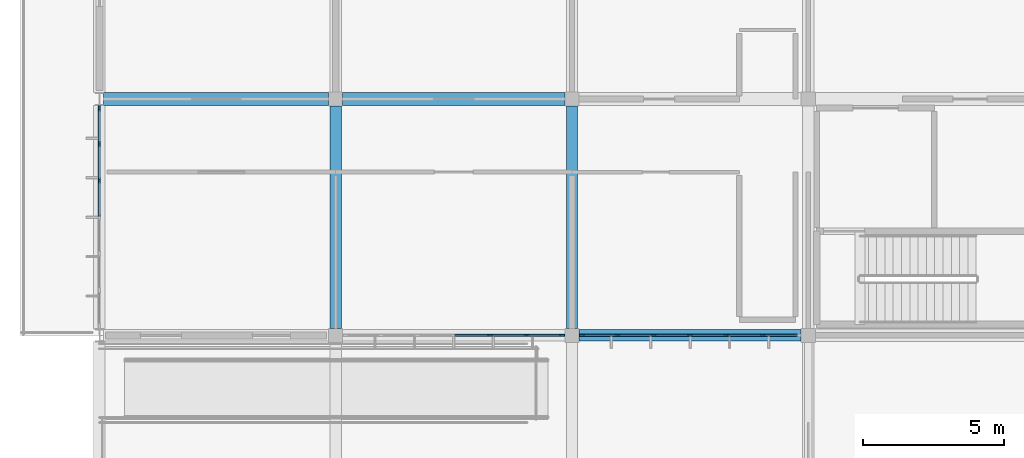
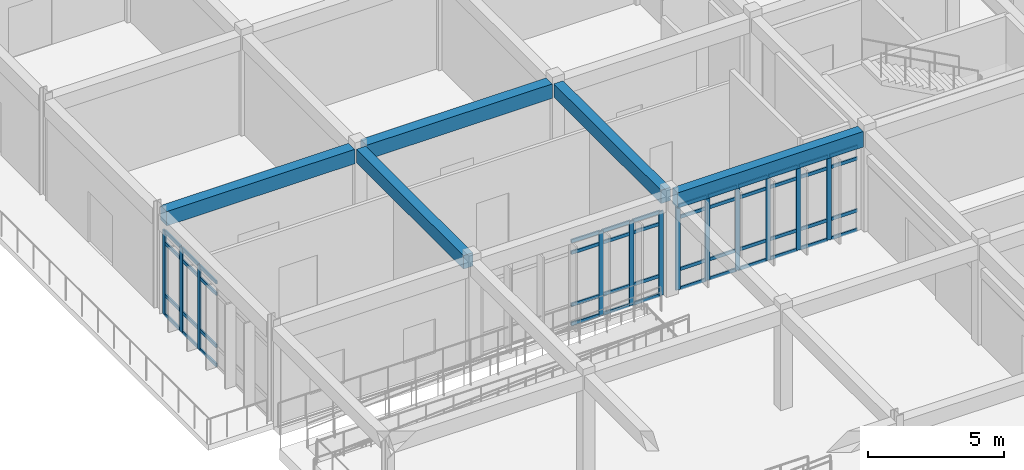
# One storey, part 11 of 138: 60 members, 5 beams, 3 elements without a shape of their own.
"""IFC4 building model written with IfcOpenShell, lengths in metres."""

from ifc_helpers import new_model, si_unit, direction, frame, origin, origin_2d, place, context, subcontext, project, spatial, rectangle, extrude, material, layer, layer_set, material_profile, profile_set, type_object, element, aggregate, save


model = new_model("IFC4")

# Units and contexts
model_context = context("Model", 3, precision=1e-05, world=origin(), true_north=direction((0.0, 1.0)))
body_context = subcontext(model_context, "Body", "Model", "MODEL_VIEW")
ifc_project = project(units=[si_unit("LENGTHUNIT", "METRE"), si_unit("AREAUNIT", "SQUARE_METRE"), si_unit("VOLUMEUNIT", "CUBIC_METRE"), si_unit("PLANEANGLEUNIT", "RADIAN"), si_unit("MASSUNIT", "GRAM", prefix="KILO")], contexts=[model_context])

# Site, building, storey
site_placement = place(None, origin())
site = spatial("IfcSite", under=ifc_project, at=site_placement, CompositionType="ELEMENT")
building_placement = place(site_placement, origin())
building = spatial("IfcBuilding", under=site, at=building_placement, Name="Bramfleet General Hospital", CompositionType="ELEMENT")
storey_placement = place(building_placement, origin())
storey = spatial("IfcBuildingStorey", under=building, at=storey_placement, Name="L00", CompositionType="ELEMENT", Elevation=0.0)

# Beams
ifc_material_1 = material(Name="Concrete C35/45", Category="concrete")
ifc_material_profile_1 = material_profile(ifc_material_1, rectangle(XDim=0.39990234375, YDim=0.60009765625, at=origin_2d()), Name="RC BM 600x400")
ifc_profile_set_1 = profile_set([ifc_material_profile_1], Name="Concrete C35/45")
beam_type_1 = type_object("IfcBeamType", Name="BM-RC600", PredefinedType="BEAM", material=ifc_profile_set_1)
for number, where, z_axis, x_axis, name in (
    (1, (8.39990234375, 17.050048828125, 4.199951171875), (0.0, 1.0, 0.0), (-1.0, 0.0, 0.0), "L00 Grid Beam Y 01-02"),
    (2, (16.800048828125, 17.050048828125, 4.199951171875), (0.0, 1.0, 0.0), (-1.0, 0.0, 0.0), "L00 Grid Beam Y 02-02"),
):
    element("IfcBeam", number, at=place(storey_placement, frame(where, z_axis=z_axis, x_axis=x_axis)), inside=storey, type_object=beam_type_1, Name=name, PredefinedType="BEAM", context=body_context, shape_type="SweptSolid", body=[
        extrude(rectangle(XDim=0.39990234375, YDim=0.60009765625, at=origin_2d()), origin(), (0.0, 0.0, 1.0), 7.89990234375),
    ])
ifc_material_profile_2 = material_profile(ifc_material_1, rectangle(XDim=0.449951171875, YDim=0.64990234375, at=origin_2d()), Name="RC BM 650x450")
ifc_profile_set_2 = profile_set([ifc_material_profile_2], Name="Concrete C35/45")
beam_type_2 = type_object("IfcBeamType", Name="BM-RC650", PredefinedType="BEAM", material=ifc_profile_set_2)
beam_1_placement = place(storey_placement, frame((0.14990234375, 25.199951171875, 4.175048828125), z_axis=(1.0, 0.0, 0.0), x_axis=(0.0, 1.0, 0.0)))
element("IfcBeam", 3, at=beam_1_placement, inside=storey, type_object=beam_type_2, Name="L00 Grid Beam X 00-03", PredefinedType="BEAM", context=body_context, shape_type="SweptSolid", body=[
    extrude(rectangle(XDim=0.449951171875, YDim=0.64990234375, at=origin_2d()), origin(), (0.0, 0.0, 1.0), 8.0),
])
beam_2_placement = place(storey_placement, frame((8.64990234375, 25.199951171875, 4.175048828125), z_axis=(1.0, 0.0, 0.0), x_axis=(0.0, 1.0, 0.0)))
element("IfcBeam", 4, at=beam_2_placement, inside=storey, type_object=beam_type_2, Name="L00 Grid Beam X 01-03", PredefinedType="BEAM", context=body_context, shape_type="SweptSolid", body=[
    extrude(rectangle(XDim=0.449951171875, YDim=0.64990234375, at=origin_2d()), origin(), (0.0, 0.0, 1.0), 7.900146484375),
])
ifc_material_profile_3 = material_profile(ifc_material_1, rectangle(XDim=0.39990234375, YDim=0.699951171875, at=origin_2d()), Name="RC SP 700x400")
ifc_profile_set_3 = profile_set([ifc_material_profile_3], Name="Concrete C35/45")
beam_type_3 = type_object("IfcBeamType", Name="BM-SP700", PredefinedType="SPANDREL", material=ifc_profile_set_3)
beam_3_placement = place(storey_placement, frame((17.050048828125, 16.800048828125, 4.14990234375), z_axis=(1.0, 0.0, 0.0), x_axis=(0.0, 1.0, 0.0)))
element("IfcBeam", 5, at=beam_3_placement, inside=storey, type_object=beam_type_3, Name="L00 Grid Beam X 02-02", PredefinedType="SPANDREL", context=body_context, shape_type="SweptSolid", body=[
    extrude(rectangle(XDim=0.39990234375, YDim=0.699951171875, at=origin_2d()), origin(), (0.0, 0.0, 1.0), 7.89990234375),
])

# Curtain wall, members
ifc_material_2 = material(Name="Anodised aluminium and low-E triple glazing", Category="aluminium")
ifc_layer_1 = layer(ifc_material_2, 0.179931640625, Name="CWT-CW-03")
ifc_layer_set_1 = layer_set([ifc_layer_1], Name="Anodised aluminium and low-E triple glazing")
curtain_wall_type_1 = type_object("IfcCurtainWallType", Name="CWT-CW-03", PredefinedType="USERDEFINED", material=ifc_layer_set_1)
curtain_wall_1_placement = place(storey_placement, origin())
curtain_wall_1 = element("IfcCurtainWall", 6, at=curtain_wall_1_placement, inside=storey, type_object=curtain_wall_type_1, Name="L00 Curtain Wall 39", ObjectType="Unitised curtain wall", PredefinedType="USERDEFINED")
ifc_material_3 = material(Name="Structural timber GL28h", Category="wood")
ifc_material_profile_4 = material_profile(ifc_material_3, rectangle(XDim=0.070068359375, YDim=0.18994140625, at=origin_2d()), Name="LARCH 190x70")
ifc_profile_set_4 = profile_set([ifc_material_profile_4], Name="Structural timber GL28h")
member_type_1 = type_object("IfcMemberType", Name="CWM-LARCH450", PredefinedType="MULLION", material=ifc_profile_set_4)
member_1_placement = place(storey_placement, frame((23.583251953125, 16.800048828125, 0.0), z_axis=(0.0, 0.0, 1.0), x_axis=(0.0, -1.0, 0.0)))
member_1 = element("IfcMember", 7, at=member_1_placement, type_object=member_type_1, Name="CW-03 mullion 2", PredefinedType="MULLION", context=body_context, shape_type="SweptSolid", body=[
    extrude(rectangle(XDim=0.070068359375, YDim=0.18994140625, at=origin_2d()), origin(), (0.0, 0.0, 1.0), 3.7900390625),
])
member_2_placement = place(storey_placement, frame((22.291748046875, 16.800048828125, 0.0), z_axis=(0.0, 0.0, 1.0), x_axis=(0.0, -1.0, 0.0)))
member_2 = element("IfcMember", 8, at=member_2_placement, type_object=member_type_1, Name="CW-03 mullion 3", PredefinedType="MULLION", context=body_context, shape_type="SweptSolid", body=[
    extrude(rectangle(XDim=0.070068359375, YDim=0.18994140625, at=origin_2d()), origin(), (0.0, 0.0, 1.0), 3.7900390625),
])
member_3_placement = place(storey_placement, frame((21.0, 16.800048828125, 0.0), z_axis=(0.0, 0.0, 1.0), x_axis=(0.0, -1.0, 0.0)))
member_3 = element("IfcMember", 9, at=member_3_placement, type_object=member_type_1, Name="CW-03 mullion 4", PredefinedType="MULLION", context=body_context, shape_type="SweptSolid", body=[
    extrude(rectangle(XDim=0.070068359375, YDim=0.18994140625, at=origin_2d()), origin(), (0.0, 0.0, 1.0), 3.7900390625),
])
member_4_placement = place(storey_placement, frame((19.708251953125, 16.800048828125, 0.0), z_axis=(0.0, 0.0, 1.0), x_axis=(0.0, -1.0, 0.0)))
member_4 = element("IfcMember", 10, at=member_4_placement, type_object=member_type_1, Name="CW-03 mullion 5", PredefinedType="MULLION", context=body_context, shape_type="SweptSolid", body=[
    extrude(rectangle(XDim=0.070068359375, YDim=0.18994140625, at=origin_2d()), origin(), (0.0, 0.0, 1.0), 3.7900390625),
])
member_5_placement = place(storey_placement, frame((18.416748046875, 16.800048828125, 0.0), z_axis=(0.0, 0.0, 1.0), x_axis=(0.0, -1.0, 0.0)))
member_5 = element("IfcMember", 11, at=member_5_placement, type_object=member_type_1, Name="CW-03 mullion 6", PredefinedType="MULLION", context=body_context, shape_type="SweptSolid", body=[
    extrude(rectangle(XDim=0.070068359375, YDim=0.18994140625, at=origin_2d()), origin(), (0.0, 0.0, 1.0), 3.7900390625),
])
member_6_placement = place(storey_placement, frame((17.159912109375, 16.800048828125, 0.0), z_axis=(0.0, 0.0, 1.0), x_axis=(0.0, -1.0, 0.0)))
member_6 = element("IfcMember", 12, at=member_6_placement, type_object=member_type_1, Name="CW-03 mullion 7", PredefinedType="MULLION", context=body_context, shape_type="SweptSolid", body=[
    extrude(rectangle(XDim=0.070068359375, YDim=0.18994140625, at=origin_2d()), origin(), (0.0, 0.0, 1.0), 3.7900390625),
])

ifc_layer_2 = layer(ifc_material_2, 0.179931640625, Name="CWT-CW-04")
ifc_layer_set_2 = layer_set([ifc_layer_2], Name="Anodised aluminium and low-E triple glazing")
curtain_wall_type_2 = type_object("IfcCurtainWallType", Name="CWT-CW-04", PredefinedType="USERDEFINED", material=ifc_layer_set_2)
curtain_wall_2_placement = place(storey_placement, origin())
curtain_wall_2 = element("IfcCurtainWall", 13, at=curtain_wall_2_placement, inside=storey, type_object=curtain_wall_type_2, Name="L00 Curtain Wall 40", ObjectType="Unitised curtain wall", PredefinedType="USERDEFINED")
member_7_placement = place(storey_placement, frame((16.43994140625, 16.800048828125, 0.0), z_axis=(0.0, 0.0, 1.0), x_axis=(0.0, -1.0, 0.0)))
member_7 = element("IfcMember", 14, at=member_7_placement, type_object=member_type_1, Name="CW-04 mullion 1", PredefinedType="MULLION", context=body_context, shape_type="SweptSolid", body=[
    extrude(rectangle(XDim=0.070068359375, YDim=0.18994140625, at=origin_2d()), origin(), (0.0, 0.0, 1.0), 3.7900390625),
])
member_8_placement = place(storey_placement, frame((15.183349609375, 16.800048828125, 0.0), z_axis=(0.0, 0.0, 1.0), x_axis=(0.0, -1.0, 0.0)))
member_8 = element("IfcMember", 15, at=member_8_placement, type_object=member_type_1, Name="CW-04 mullion 2", PredefinedType="MULLION", context=body_context, shape_type="SweptSolid", body=[
    extrude(rectangle(XDim=0.070068359375, YDim=0.18994140625, at=origin_2d()), origin(), (0.0, 0.0, 1.0), 3.7900390625),
])
member_9_placement = place(storey_placement, frame((13.8916015625, 16.800048828125, 0.0), z_axis=(0.0, 0.0, 1.0), x_axis=(0.0, -1.0, 0.0)))
member_9 = element("IfcMember", 16, at=member_9_placement, type_object=member_type_1, Name="CW-04 mullion 3", PredefinedType="MULLION", context=body_context, shape_type="SweptSolid", body=[
    extrude(rectangle(XDim=0.070068359375, YDim=0.18994140625, at=origin_2d()), origin(), (0.0, 0.0, 1.0), 3.7900390625),
])

ifc_layer_3 = layer(ifc_material_2, 0.179931640625, Name="CWT-CW-05")
ifc_layer_set_3 = layer_set([ifc_layer_3], Name="Anodised aluminium and low-E triple glazing")
curtain_wall_type_3 = type_object("IfcCurtainWallType", Name="CWT-CW-05", PredefinedType="USERDEFINED", material=ifc_layer_set_3)
curtain_wall_3_placement = place(storey_placement, origin())
curtain_wall_3 = element("IfcCurtainWall", 17, at=curtain_wall_3_placement, inside=storey, type_object=curtain_wall_type_3, Name="L00 Curtain Wall 41", ObjectType="Unitised curtain wall", PredefinedType="USERDEFINED")
member_10_placement = place(storey_placement, frame((0.0, 22.300048828125, 0.0), z_axis=(0.0, 0.0, 1.0), x_axis=(-1.0, 0.0, 0.0)))
member_10 = element("IfcMember", 18, at=member_10_placement, type_object=member_type_1, Name="CW-05 mullion 5", PredefinedType="MULLION", context=body_context, shape_type="SweptSolid", body=[
    extrude(rectangle(XDim=0.070068359375, YDim=0.18994140625, at=origin_2d()), origin(), (0.0, 0.0, 1.0), 3.7900390625),
])
member_11_placement = place(storey_placement, frame((0.0, 23.60009765625, 0.0), z_axis=(0.0, 0.0, 1.0), x_axis=(-1.0, 0.0, 0.0)))
member_11 = element("IfcMember", 19, at=member_11_placement, type_object=member_type_1, Name="CW-05 mullion 6", PredefinedType="MULLION", context=body_context, shape_type="SweptSolid", body=[
    extrude(rectangle(XDim=0.070068359375, YDim=0.18994140625, at=origin_2d()), origin(), (0.0, 0.0, 1.0), 3.7900390625),
])
member_12_placement = place(storey_placement, frame((0.0, 24.864990234375, 0.0), z_axis=(0.0, 0.0, 1.0), x_axis=(-1.0, 0.0, 0.0)))
member_12 = element("IfcMember", 20, at=member_12_placement, type_object=member_type_1, Name="CW-05 mullion 7", PredefinedType="MULLION", context=body_context, shape_type="SweptSolid", body=[
    extrude(rectangle(XDim=0.070068359375, YDim=0.18994140625, at=origin_2d()), origin(), (0.0, 0.0, 1.0), 3.7900390625),
])

# Member
ifc_material_profile_5 = material_profile(ifc_material_3, rectangle(XDim=0.06494140625, YDim=0.14990234375, at=origin_2d()), Name="LARCH 150x65")
ifc_profile_set_5 = profile_set([ifc_material_profile_5], Name="Structural timber GL28h")
member_type_2 = type_object("IfcMemberType", Name="CWT-LARCH220", PredefinedType="USERDEFINED", material=ifc_profile_set_5)
member_13_placement = place(storey_placement, frame((24.804931640625, 16.800048828125, 0.032470703125), z_axis=(-1.0, 0.0, 0.0), x_axis=(0.0, -1.0, 0.0)))
member_13 = element("IfcMember", 21, at=member_13_placement, type_object=member_type_2, Name="CW-03 transom 1.1", ObjectType="TRANSOM", PredefinedType="USERDEFINED", context=body_context, shape_type="SweptSolid", body=[
    extrude(rectangle(XDim=0.06494140625, YDim=0.14990234375, at=origin_2d()), origin(), (0.0, 0.0, 1.0), 1.1865234375),
])

member_14_placement = place(storey_placement, frame((24.804931640625, 16.800048828125, 0.89990234375), z_axis=(-1.0, 0.0, 0.0), x_axis=(0.0, -1.0, 0.0)))
member_14 = element("IfcMember", 22, at=member_14_placement, type_object=member_type_2, Name="CW-03 transom 1.2", ObjectType="TRANSOM", PredefinedType="USERDEFINED", context=body_context, shape_type="SweptSolid", body=[
    extrude(rectangle(XDim=0.06494140625, YDim=0.14990234375, at=origin_2d()), origin(), (0.0, 0.0, 1.0), 1.1865234375),
])

member_15_placement = place(storey_placement, frame((24.804931640625, 16.800048828125, 3.239990234375), z_axis=(-1.0, 0.0, 0.0), x_axis=(0.0, -1.0, 0.0)))
member_15 = element("IfcMember", 23, at=member_15_placement, type_object=member_type_2, Name="CW-03 transom 1.3", ObjectType="TRANSOM", PredefinedType="USERDEFINED", context=body_context, shape_type="SweptSolid", body=[
    extrude(rectangle(XDim=0.06494140625, YDim=0.14990234375, at=origin_2d()), origin(), (0.0, 0.0, 1.0), 1.1865234375),
])

member_16_placement = place(storey_placement, frame((24.804931640625, 16.800048828125, 3.757568359375), z_axis=(-1.0, 0.0, 0.0), x_axis=(0.0, -1.0, 0.0)))
member_16 = element("IfcMember", 24, at=member_16_placement, type_object=member_type_2, Name="CW-03 transom 1.4", ObjectType="TRANSOM", PredefinedType="USERDEFINED", context=body_context, shape_type="SweptSolid", body=[
    extrude(rectangle(XDim=0.06494140625, YDim=0.14990234375, at=origin_2d()), origin(), (0.0, 0.0, 1.0), 1.1865234375),
])

member_17_placement = place(storey_placement, frame((23.54833984375, 16.800048828125, 0.032470703125), z_axis=(-1.0, 0.0, 0.0), x_axis=(0.0, -1.0, 0.0)))
member_17 = element("IfcMember", 25, at=member_17_placement, type_object=member_type_2, Name="CW-03 transom 2.1", ObjectType="TRANSOM", PredefinedType="USERDEFINED", context=body_context, shape_type="SweptSolid", body=[
    extrude(rectangle(XDim=0.06494140625, YDim=0.14990234375, at=origin_2d()), origin(), (0.0, 0.0, 1.0), 1.2216796875),
])

member_18_placement = place(storey_placement, frame((23.54833984375, 16.800048828125, 0.89990234375), z_axis=(-1.0, 0.0, 0.0), x_axis=(0.0, -1.0, 0.0)))
member_18 = element("IfcMember", 26, at=member_18_placement, type_object=member_type_2, Name="CW-03 transom 2.2", ObjectType="TRANSOM", PredefinedType="USERDEFINED", context=body_context, shape_type="SweptSolid", body=[
    extrude(rectangle(XDim=0.06494140625, YDim=0.14990234375, at=origin_2d()), origin(), (0.0, 0.0, 1.0), 1.2216796875),
])

member_19_placement = place(storey_placement, frame((23.54833984375, 16.800048828125, 3.239990234375), z_axis=(-1.0, 0.0, 0.0), x_axis=(0.0, -1.0, 0.0)))
member_19 = element("IfcMember", 27, at=member_19_placement, type_object=member_type_2, Name="CW-03 transom 2.3", ObjectType="TRANSOM", PredefinedType="USERDEFINED", context=body_context, shape_type="SweptSolid", body=[
    extrude(rectangle(XDim=0.06494140625, YDim=0.14990234375, at=origin_2d()), origin(), (0.0, 0.0, 1.0), 1.2216796875),
])

member_20_placement = place(storey_placement, frame((23.54833984375, 16.800048828125, 3.757568359375), z_axis=(-1.0, 0.0, 0.0), x_axis=(0.0, -1.0, 0.0)))
member_20 = element("IfcMember", 28, at=member_20_placement, type_object=member_type_2, Name="CW-03 transom 2.4", ObjectType="TRANSOM", PredefinedType="USERDEFINED", context=body_context, shape_type="SweptSolid", body=[
    extrude(rectangle(XDim=0.06494140625, YDim=0.14990234375, at=origin_2d()), origin(), (0.0, 0.0, 1.0), 1.2216796875),
])

member_21_placement = place(storey_placement, frame((22.256591796875, 16.800048828125, 0.032470703125), z_axis=(-1.0, 0.0, 0.0), x_axis=(0.0, -1.0, 0.0)))
member_21 = element("IfcMember", 29, at=member_21_placement, type_object=member_type_2, Name="CW-03 transom 3.1", ObjectType="TRANSOM", PredefinedType="USERDEFINED", context=body_context, shape_type="SweptSolid", body=[
    extrude(rectangle(XDim=0.06494140625, YDim=0.14990234375, at=origin_2d()), origin(), (0.0, 0.0, 1.0), 1.2216796875),
])

member_22_placement = place(storey_placement, frame((22.256591796875, 16.800048828125, 0.89990234375), z_axis=(-1.0, 0.0, 0.0), x_axis=(0.0, -1.0, 0.0)))
member_22 = element("IfcMember", 30, at=member_22_placement, type_object=member_type_2, Name="CW-03 transom 3.2", ObjectType="TRANSOM", PredefinedType="USERDEFINED", context=body_context, shape_type="SweptSolid", body=[
    extrude(rectangle(XDim=0.06494140625, YDim=0.14990234375, at=origin_2d()), origin(), (0.0, 0.0, 1.0), 1.2216796875),
])

member_23_placement = place(storey_placement, frame((22.256591796875, 16.800048828125, 3.239990234375), z_axis=(-1.0, 0.0, 0.0), x_axis=(0.0, -1.0, 0.0)))
member_23 = element("IfcMember", 31, at=member_23_placement, type_object=member_type_2, Name="CW-03 transom 3.3", ObjectType="TRANSOM", PredefinedType="USERDEFINED", context=body_context, shape_type="SweptSolid", body=[
    extrude(rectangle(XDim=0.06494140625, YDim=0.14990234375, at=origin_2d()), origin(), (0.0, 0.0, 1.0), 1.2216796875),
])

member_24_placement = place(storey_placement, frame((22.256591796875, 16.800048828125, 3.757568359375), z_axis=(-1.0, 0.0, 0.0), x_axis=(0.0, -1.0, 0.0)))
member_24 = element("IfcMember", 32, at=member_24_placement, type_object=member_type_2, Name="CW-03 transom 3.4", ObjectType="TRANSOM", PredefinedType="USERDEFINED", context=body_context, shape_type="SweptSolid", body=[
    extrude(rectangle(XDim=0.06494140625, YDim=0.14990234375, at=origin_2d()), origin(), (0.0, 0.0, 1.0), 1.2216796875),
])

member_25_placement = place(storey_placement, frame((20.965087890625, 16.800048828125, 0.032470703125), z_axis=(-1.0, 0.0, 0.0), x_axis=(0.0, -1.0, 0.0)))
member_25 = element("IfcMember", 33, at=member_25_placement, type_object=member_type_2, Name="CW-03 transom 4.1", ObjectType="TRANSOM", PredefinedType="USERDEFINED", context=body_context, shape_type="SweptSolid", body=[
    extrude(rectangle(XDim=0.06494140625, YDim=0.14990234375, at=origin_2d()), origin(), (0.0, 0.0, 1.0), 1.2216796875),
])

member_26_placement = place(storey_placement, frame((20.965087890625, 16.800048828125, 0.89990234375), z_axis=(-1.0, 0.0, 0.0), x_axis=(0.0, -1.0, 0.0)))
member_26 = element("IfcMember", 34, at=member_26_placement, type_object=member_type_2, Name="CW-03 transom 4.2", ObjectType="TRANSOM", PredefinedType="USERDEFINED", context=body_context, shape_type="SweptSolid", body=[
    extrude(rectangle(XDim=0.06494140625, YDim=0.14990234375, at=origin_2d()), origin(), (0.0, 0.0, 1.0), 1.2216796875),
])

member_27_placement = place(storey_placement, frame((20.965087890625, 16.800048828125, 3.239990234375), z_axis=(-1.0, 0.0, 0.0), x_axis=(0.0, -1.0, 0.0)))
member_27 = element("IfcMember", 35, at=member_27_placement, type_object=member_type_2, Name="CW-03 transom 4.3", ObjectType="TRANSOM", PredefinedType="USERDEFINED", context=body_context, shape_type="SweptSolid", body=[
    extrude(rectangle(XDim=0.06494140625, YDim=0.14990234375, at=origin_2d()), origin(), (0.0, 0.0, 1.0), 1.2216796875),
])

member_28_placement = place(storey_placement, frame((20.965087890625, 16.800048828125, 3.757568359375), z_axis=(-1.0, 0.0, 0.0), x_axis=(0.0, -1.0, 0.0)))
member_28 = element("IfcMember", 36, at=member_28_placement, type_object=member_type_2, Name="CW-03 transom 4.4", ObjectType="TRANSOM", PredefinedType="USERDEFINED", context=body_context, shape_type="SweptSolid", body=[
    extrude(rectangle(XDim=0.06494140625, YDim=0.14990234375, at=origin_2d()), origin(), (0.0, 0.0, 1.0), 1.2216796875),
])

member_29_placement = place(storey_placement, frame((19.67333984375, 16.800048828125, 0.032470703125), z_axis=(-1.0, 0.0, 0.0), x_axis=(0.0, -1.0, 0.0)))
member_29 = element("IfcMember", 37, at=member_29_placement, type_object=member_type_2, Name="CW-03 transom 5.1", ObjectType="TRANSOM", PredefinedType="USERDEFINED", context=body_context, shape_type="SweptSolid", body=[
    extrude(rectangle(XDim=0.06494140625, YDim=0.14990234375, at=origin_2d()), origin(), (0.0, 0.0, 1.0), 1.2216796875),
])

member_30_placement = place(storey_placement, frame((19.67333984375, 16.800048828125, 0.89990234375), z_axis=(-1.0, 0.0, 0.0), x_axis=(0.0, -1.0, 0.0)))
member_30 = element("IfcMember", 38, at=member_30_placement, type_object=member_type_2, Name="CW-03 transom 5.2", ObjectType="TRANSOM", PredefinedType="USERDEFINED", context=body_context, shape_type="SweptSolid", body=[
    extrude(rectangle(XDim=0.06494140625, YDim=0.14990234375, at=origin_2d()), origin(), (0.0, 0.0, 1.0), 1.2216796875),
])

member_31_placement = place(storey_placement, frame((19.67333984375, 16.800048828125, 3.239990234375), z_axis=(-1.0, 0.0, 0.0), x_axis=(0.0, -1.0, 0.0)))
member_31 = element("IfcMember", 39, at=member_31_placement, type_object=member_type_2, Name="CW-03 transom 5.3", ObjectType="TRANSOM", PredefinedType="USERDEFINED", context=body_context, shape_type="SweptSolid", body=[
    extrude(rectangle(XDim=0.06494140625, YDim=0.14990234375, at=origin_2d()), origin(), (0.0, 0.0, 1.0), 1.2216796875),
])

member_32_placement = place(storey_placement, frame((19.67333984375, 16.800048828125, 3.757568359375), z_axis=(-1.0, 0.0, 0.0), x_axis=(0.0, -1.0, 0.0)))
member_32 = element("IfcMember", 40, at=member_32_placement, type_object=member_type_2, Name="CW-03 transom 5.4", ObjectType="TRANSOM", PredefinedType="USERDEFINED", context=body_context, shape_type="SweptSolid", body=[
    extrude(rectangle(XDim=0.06494140625, YDim=0.14990234375, at=origin_2d()), origin(), (0.0, 0.0, 1.0), 1.2216796875),
])

member_33_placement = place(storey_placement, frame((18.381591796875, 16.800048828125, 0.032470703125), z_axis=(-1.0, 0.0, 0.0), x_axis=(0.0, -1.0, 0.0)))
member_33 = element("IfcMember", 41, at=member_33_placement, type_object=member_type_2, Name="CW-03 transom 6.1", ObjectType="TRANSOM", PredefinedType="USERDEFINED", context=body_context, shape_type="SweptSolid", body=[
    extrude(rectangle(XDim=0.06494140625, YDim=0.14990234375, at=origin_2d()), origin(), (0.0, 0.0, 1.0), 1.1865234375),
])

member_34_placement = place(storey_placement, frame((18.381591796875, 16.800048828125, 0.89990234375), z_axis=(-1.0, 0.0, 0.0), x_axis=(0.0, -1.0, 0.0)))
member_34 = element("IfcMember", 42, at=member_34_placement, type_object=member_type_2, Name="CW-03 transom 6.2", ObjectType="TRANSOM", PredefinedType="USERDEFINED", context=body_context, shape_type="SweptSolid", body=[
    extrude(rectangle(XDim=0.06494140625, YDim=0.14990234375, at=origin_2d()), origin(), (0.0, 0.0, 1.0), 1.1865234375),
])

member_35_placement = place(storey_placement, frame((18.381591796875, 16.800048828125, 3.239990234375), z_axis=(-1.0, 0.0, 0.0), x_axis=(0.0, -1.0, 0.0)))
member_35 = element("IfcMember", 43, at=member_35_placement, type_object=member_type_2, Name="CW-03 transom 6.3", ObjectType="TRANSOM", PredefinedType="USERDEFINED", context=body_context, shape_type="SweptSolid", body=[
    extrude(rectangle(XDim=0.06494140625, YDim=0.14990234375, at=origin_2d()), origin(), (0.0, 0.0, 1.0), 1.1865234375),
])

member_36_placement = place(storey_placement, frame((18.381591796875, 16.800048828125, 3.757568359375), z_axis=(-1.0, 0.0, 0.0), x_axis=(0.0, -1.0, 0.0)))
member_36 = element("IfcMember", 44, at=member_36_placement, type_object=member_type_2, Name="CW-03 transom 6.4", ObjectType="TRANSOM", PredefinedType="USERDEFINED", context=body_context, shape_type="SweptSolid", body=[
    extrude(rectangle(XDim=0.06494140625, YDim=0.14990234375, at=origin_2d()), origin(), (0.0, 0.0, 1.0), 1.1865234375),
])

aggregate(curtain_wall_1, [member_1, member_2, member_3, member_4, member_5, member_6, member_13, member_14, member_15, member_16, member_17, member_18, member_19, member_20, member_21, member_22, member_23, member_24, member_25, member_26, member_27, member_28, member_29, member_30, member_31, member_32, member_33, member_34, member_35, member_36])

member_37_placement = place(storey_placement, frame((16.405029296875, 16.800048828125, 0.032470703125), z_axis=(-1.0, 0.0, 0.0), x_axis=(0.0, -1.0, 0.0)))
member_37 = element("IfcMember", 45, at=member_37_placement, type_object=member_type_2, Name="CW-04 transom 1.1", ObjectType="TRANSOM", PredefinedType="USERDEFINED", context=body_context, shape_type="SweptSolid", body=[
    extrude(rectangle(XDim=0.06494140625, YDim=0.14990234375, at=origin_2d()), origin(), (0.0, 0.0, 1.0), 1.186767578125),
])

member_38_placement = place(storey_placement, frame((16.405029296875, 16.800048828125, 0.89990234375), z_axis=(-1.0, 0.0, 0.0), x_axis=(0.0, -1.0, 0.0)))
member_38 = element("IfcMember", 46, at=member_38_placement, type_object=member_type_2, Name="CW-04 transom 1.2", ObjectType="TRANSOM", PredefinedType="USERDEFINED", context=body_context, shape_type="SweptSolid", body=[
    extrude(rectangle(XDim=0.06494140625, YDim=0.14990234375, at=origin_2d()), origin(), (0.0, 0.0, 1.0), 1.186767578125),
])

member_39_placement = place(storey_placement, frame((16.405029296875, 16.800048828125, 3.239990234375), z_axis=(-1.0, 0.0, 0.0), x_axis=(0.0, -1.0, 0.0)))
member_39 = element("IfcMember", 47, at=member_39_placement, type_object=member_type_2, Name="CW-04 transom 1.3", ObjectType="TRANSOM", PredefinedType="USERDEFINED", context=body_context, shape_type="SweptSolid", body=[
    extrude(rectangle(XDim=0.06494140625, YDim=0.14990234375, at=origin_2d()), origin(), (0.0, 0.0, 1.0), 1.186767578125),
])

member_40_placement = place(storey_placement, frame((16.405029296875, 16.800048828125, 3.757568359375), z_axis=(-1.0, 0.0, 0.0), x_axis=(0.0, -1.0, 0.0)))
member_40 = element("IfcMember", 48, at=member_40_placement, type_object=member_type_2, Name="CW-04 transom 1.4", ObjectType="TRANSOM", PredefinedType="USERDEFINED", context=body_context, shape_type="SweptSolid", body=[
    extrude(rectangle(XDim=0.06494140625, YDim=0.14990234375, at=origin_2d()), origin(), (0.0, 0.0, 1.0), 1.186767578125),
])

member_41_placement = place(storey_placement, frame((15.1484375, 16.800048828125, 0.032470703125), z_axis=(-1.0, 0.0, 0.0), x_axis=(0.0, -1.0, 0.0)))
member_41 = element("IfcMember", 49, at=member_41_placement, type_object=member_type_2, Name="CW-04 transom 2.1", ObjectType="TRANSOM", PredefinedType="USERDEFINED", context=body_context, shape_type="SweptSolid", body=[
    extrude(rectangle(XDim=0.06494140625, YDim=0.14990234375, at=origin_2d()), origin(), (0.0, 0.0, 1.0), 1.2216796875),
])

member_42_placement = place(storey_placement, frame((15.1484375, 16.800048828125, 0.89990234375), z_axis=(-1.0, 0.0, 0.0), x_axis=(0.0, -1.0, 0.0)))
member_42 = element("IfcMember", 50, at=member_42_placement, type_object=member_type_2, Name="CW-04 transom 2.2", ObjectType="TRANSOM", PredefinedType="USERDEFINED", context=body_context, shape_type="SweptSolid", body=[
    extrude(rectangle(XDim=0.06494140625, YDim=0.14990234375, at=origin_2d()), origin(), (0.0, 0.0, 1.0), 1.2216796875),
])

member_43_placement = place(storey_placement, frame((15.1484375, 16.800048828125, 3.239990234375), z_axis=(-1.0, 0.0, 0.0), x_axis=(0.0, -1.0, 0.0)))
member_43 = element("IfcMember", 51, at=member_43_placement, type_object=member_type_2, Name="CW-04 transom 2.3", ObjectType="TRANSOM", PredefinedType="USERDEFINED", context=body_context, shape_type="SweptSolid", body=[
    extrude(rectangle(XDim=0.06494140625, YDim=0.14990234375, at=origin_2d()), origin(), (0.0, 0.0, 1.0), 1.2216796875),
])

member_44_placement = place(storey_placement, frame((15.1484375, 16.800048828125, 3.757568359375), z_axis=(-1.0, 0.0, 0.0), x_axis=(0.0, -1.0, 0.0)))
member_44 = element("IfcMember", 52, at=member_44_placement, type_object=member_type_2, Name="CW-04 transom 2.4", ObjectType="TRANSOM", PredefinedType="USERDEFINED", context=body_context, shape_type="SweptSolid", body=[
    extrude(rectangle(XDim=0.06494140625, YDim=0.14990234375, at=origin_2d()), origin(), (0.0, 0.0, 1.0), 1.2216796875),
])

member_45_placement = place(storey_placement, frame((13.856689453125, 16.800048828125, 0.032470703125), z_axis=(-1.0, 0.0, 0.0), x_axis=(0.0, -1.0, 0.0)))
member_45 = element("IfcMember", 53, at=member_45_placement, type_object=member_type_2, Name="CW-04 transom 3.1", ObjectType="TRANSOM", PredefinedType="USERDEFINED", context=body_context, shape_type="SweptSolid", body=[
    extrude(rectangle(XDim=0.06494140625, YDim=0.14990234375, at=origin_2d()), origin(), (0.0, 0.0, 1.0), 1.2216796875),
])

member_46_placement = place(storey_placement, frame((13.856689453125, 16.800048828125, 0.89990234375), z_axis=(-1.0, 0.0, 0.0), x_axis=(0.0, -1.0, 0.0)))
member_46 = element("IfcMember", 54, at=member_46_placement, type_object=member_type_2, Name="CW-04 transom 3.2", ObjectType="TRANSOM", PredefinedType="USERDEFINED", context=body_context, shape_type="SweptSolid", body=[
    extrude(rectangle(XDim=0.06494140625, YDim=0.14990234375, at=origin_2d()), origin(), (0.0, 0.0, 1.0), 1.2216796875),
])

member_47_placement = place(storey_placement, frame((13.856689453125, 16.800048828125, 3.239990234375), z_axis=(-1.0, 0.0, 0.0), x_axis=(0.0, -1.0, 0.0)))
member_47 = element("IfcMember", 55, at=member_47_placement, type_object=member_type_2, Name="CW-04 transom 3.3", ObjectType="TRANSOM", PredefinedType="USERDEFINED", context=body_context, shape_type="SweptSolid", body=[
    extrude(rectangle(XDim=0.06494140625, YDim=0.14990234375, at=origin_2d()), origin(), (0.0, 0.0, 1.0), 1.2216796875),
])

member_48_placement = place(storey_placement, frame((13.856689453125, 16.800048828125, 3.757568359375), z_axis=(-1.0, 0.0, 0.0), x_axis=(0.0, -1.0, 0.0)))
member_48 = element("IfcMember", 56, at=member_48_placement, type_object=member_type_2, Name="CW-04 transom 3.4", ObjectType="TRANSOM", PredefinedType="USERDEFINED", context=body_context, shape_type="SweptSolid", body=[
    extrude(rectangle(XDim=0.06494140625, YDim=0.14990234375, at=origin_2d()), origin(), (0.0, 0.0, 1.0), 1.2216796875),
])

aggregate(curtain_wall_2, [member_7, member_8, member_9, member_37, member_38, member_39, member_40, member_41, member_42, member_43, member_44, member_45, member_46, member_47, member_48])

member_49_placement = place(storey_placement, frame((0.0, 21.034912109375, 0.032470703125), z_axis=(0.0, 1.0, 0.0), x_axis=(-1.0, 0.0, 0.0)))
member_49 = element("IfcMember", 57, at=member_49_placement, type_object=member_type_2, Name="CW-05 transom 4.1", ObjectType="TRANSOM", PredefinedType="USERDEFINED", context=body_context, shape_type="SweptSolid", body=[
    extrude(rectangle(XDim=0.06494140625, YDim=0.14990234375, at=origin_2d()), origin(), (0.0, 0.0, 1.0), 1.22998046875),
])

member_50_placement = place(storey_placement, frame((0.0, 21.034912109375, 0.89990234375), z_axis=(0.0, 1.0, 0.0), x_axis=(-1.0, 0.0, 0.0)))
member_50 = element("IfcMember", 58, at=member_50_placement, type_object=member_type_2, Name="CW-05 transom 4.2", ObjectType="TRANSOM", PredefinedType="USERDEFINED", context=body_context, shape_type="SweptSolid", body=[
    extrude(rectangle(XDim=0.06494140625, YDim=0.14990234375, at=origin_2d()), origin(), (0.0, 0.0, 1.0), 1.22998046875),
])

member_51_placement = place(storey_placement, frame((0.0, 21.034912109375, 3.239990234375), z_axis=(0.0, 1.0, 0.0), x_axis=(-1.0, 0.0, 0.0)))
member_51 = element("IfcMember", 59, at=member_51_placement, type_object=member_type_2, Name="CW-05 transom 4.3", ObjectType="TRANSOM", PredefinedType="USERDEFINED", context=body_context, shape_type="SweptSolid", body=[
    extrude(rectangle(XDim=0.06494140625, YDim=0.14990234375, at=origin_2d()), origin(), (0.0, 0.0, 1.0), 1.22998046875),
])

member_52_placement = place(storey_placement, frame((0.0, 21.034912109375, 3.757568359375), z_axis=(0.0, 1.0, 0.0), x_axis=(-1.0, 0.0, 0.0)))
member_52 = element("IfcMember", 60, at=member_52_placement, type_object=member_type_2, Name="CW-05 transom 4.4", ObjectType="TRANSOM", PredefinedType="USERDEFINED", context=body_context, shape_type="SweptSolid", body=[
    extrude(rectangle(XDim=0.06494140625, YDim=0.14990234375, at=origin_2d()), origin(), (0.0, 0.0, 1.0), 1.22998046875),
])

member_53_placement = place(storey_placement, frame((0.0, 22.3349609375, 0.032470703125), z_axis=(0.0, 1.0, 0.0), x_axis=(-1.0, 0.0, 0.0)))
member_53 = element("IfcMember", 61, at=member_53_placement, type_object=member_type_2, Name="CW-05 transom 5.1", ObjectType="TRANSOM", PredefinedType="USERDEFINED", context=body_context, shape_type="SweptSolid", body=[
    extrude(rectangle(XDim=0.06494140625, YDim=0.14990234375, at=origin_2d()), origin(), (0.0, 0.0, 1.0), 1.22998046875),
])

member_54_placement = place(storey_placement, frame((0.0, 22.3349609375, 0.89990234375), z_axis=(0.0, 1.0, 0.0), x_axis=(-1.0, 0.0, 0.0)))
member_54 = element("IfcMember", 62, at=member_54_placement, type_object=member_type_2, Name="CW-05 transom 5.2", ObjectType="TRANSOM", PredefinedType="USERDEFINED", context=body_context, shape_type="SweptSolid", body=[
    extrude(rectangle(XDim=0.06494140625, YDim=0.14990234375, at=origin_2d()), origin(), (0.0, 0.0, 1.0), 1.22998046875),
])

member_55_placement = place(storey_placement, frame((0.0, 22.3349609375, 3.239990234375), z_axis=(0.0, 1.0, 0.0), x_axis=(-1.0, 0.0, 0.0)))
member_55 = element("IfcMember", 63, at=member_55_placement, type_object=member_type_2, Name="CW-05 transom 5.3", ObjectType="TRANSOM", PredefinedType="USERDEFINED", context=body_context, shape_type="SweptSolid", body=[
    extrude(rectangle(XDim=0.06494140625, YDim=0.14990234375, at=origin_2d()), origin(), (0.0, 0.0, 1.0), 1.22998046875),
])

member_56_placement = place(storey_placement, frame((0.0, 22.3349609375, 3.757568359375), z_axis=(0.0, 1.0, 0.0), x_axis=(-1.0, 0.0, 0.0)))
member_56 = element("IfcMember", 64, at=member_56_placement, type_object=member_type_2, Name="CW-05 transom 5.4", ObjectType="TRANSOM", PredefinedType="USERDEFINED", context=body_context, shape_type="SweptSolid", body=[
    extrude(rectangle(XDim=0.06494140625, YDim=0.14990234375, at=origin_2d()), origin(), (0.0, 0.0, 1.0), 1.22998046875),
])

member_57_placement = place(storey_placement, frame((0.0, 23.635009765625, 0.032470703125), z_axis=(0.0, 1.0, 0.0), x_axis=(-1.0, 0.0, 0.0)))
member_57 = element("IfcMember", 65, at=member_57_placement, type_object=member_type_2, Name="CW-05 transom 6.1", ObjectType="TRANSOM", PredefinedType="USERDEFINED", context=body_context, shape_type="SweptSolid", body=[
    extrude(rectangle(XDim=0.06494140625, YDim=0.14990234375, at=origin_2d()), origin(), (0.0, 0.0, 1.0), 1.195068359375),
])

member_58_placement = place(storey_placement, frame((0.0, 23.635009765625, 0.89990234375), z_axis=(0.0, 1.0, 0.0), x_axis=(-1.0, 0.0, 0.0)))
member_58 = element("IfcMember", 66, at=member_58_placement, type_object=member_type_2, Name="CW-05 transom 6.2", ObjectType="TRANSOM", PredefinedType="USERDEFINED", context=body_context, shape_type="SweptSolid", body=[
    extrude(rectangle(XDim=0.06494140625, YDim=0.14990234375, at=origin_2d()), origin(), (0.0, 0.0, 1.0), 1.195068359375),
])

member_59_placement = place(storey_placement, frame((0.0, 23.635009765625, 3.239990234375), z_axis=(0.0, 1.0, 0.0), x_axis=(-1.0, 0.0, 0.0)))
member_59 = element("IfcMember", 67, at=member_59_placement, type_object=member_type_2, Name="CW-05 transom 6.3", ObjectType="TRANSOM", PredefinedType="USERDEFINED", context=body_context, shape_type="SweptSolid", body=[
    extrude(rectangle(XDim=0.06494140625, YDim=0.14990234375, at=origin_2d()), origin(), (0.0, 0.0, 1.0), 1.195068359375),
])

member_60_placement = place(storey_placement, frame((0.0, 23.635009765625, 3.757568359375), z_axis=(0.0, 1.0, 0.0), x_axis=(-1.0, 0.0, 0.0)))
member_60 = element("IfcMember", 68, at=member_60_placement, type_object=member_type_2, Name="CW-05 transom 6.4", ObjectType="TRANSOM", PredefinedType="USERDEFINED", context=body_context, shape_type="SweptSolid", body=[
    extrude(rectangle(XDim=0.06494140625, YDim=0.14990234375, at=origin_2d()), origin(), (0.0, 0.0, 1.0), 1.195068359375),
])

aggregate(curtain_wall_3, [member_10, member_11, member_12, member_49, member_50, member_51, member_52, member_53, member_54, member_55, member_56, member_57, member_58, member_59, member_60])

save(model, "model.ifc")
